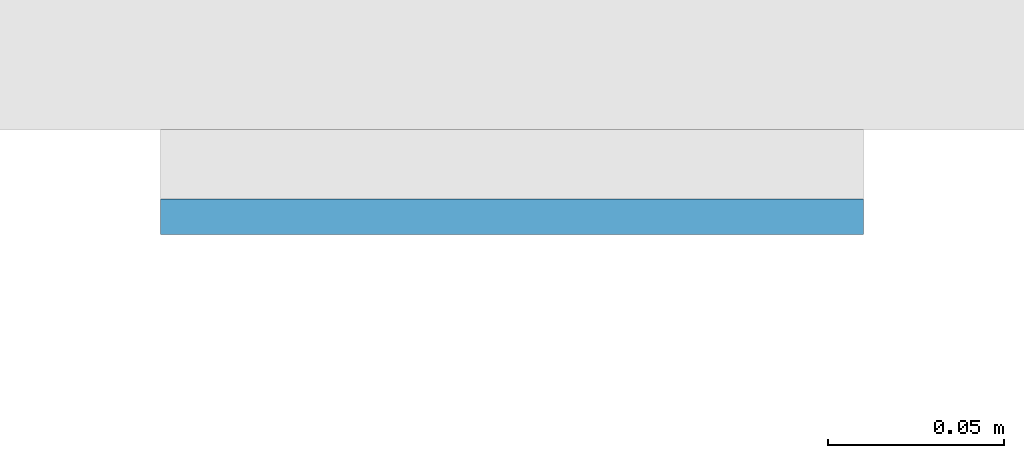
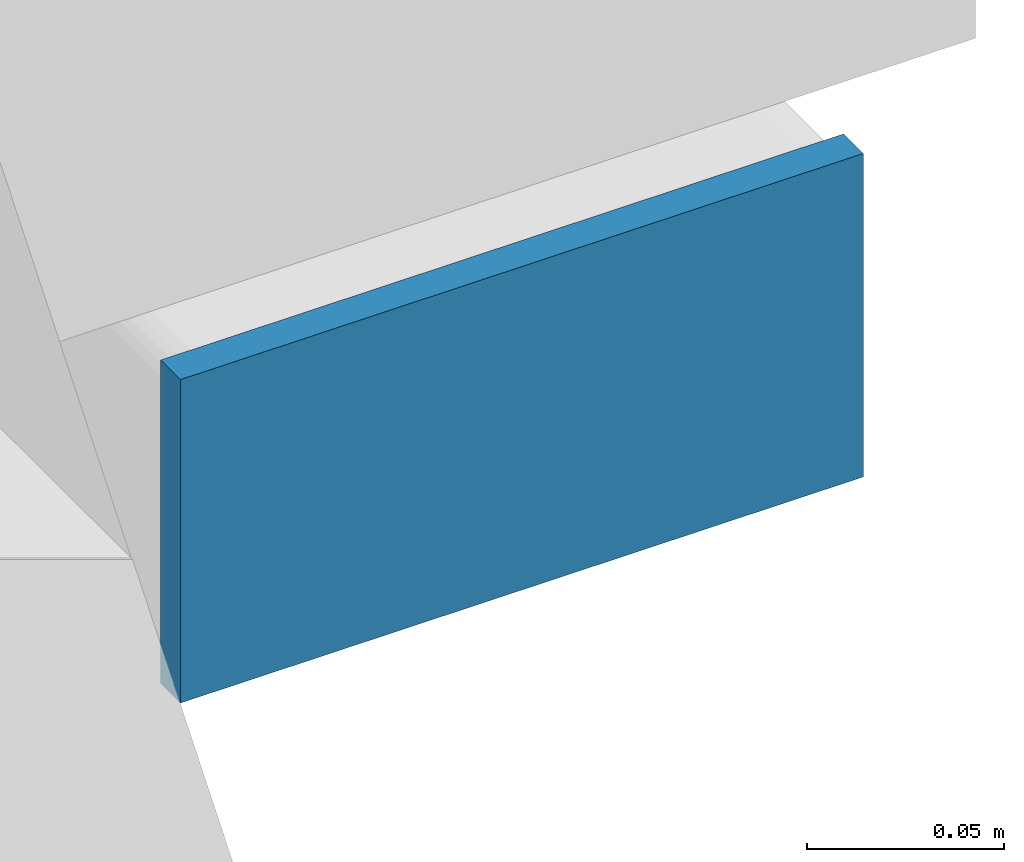
# One storey, part 10 of 20: 1 plate.
"""IFC4 building model written with IfcOpenShell, lengths in metres."""

from ifc_helpers import new_model, si_unit, direction, frame, origin, origin_2d, place, context, subcontext, project, spatial, rectangle, extrude, material, layer, layer_set, type_object, element, save


model = new_model("IFC4")

# Units and contexts
model_context = context("Model", 3, precision=1e-05, world=origin(), true_north=direction((0.0, 1.0)))
body_context = subcontext(model_context, "Body", "Model", "MODEL_VIEW")
ifc_project = project(units=[si_unit("LENGTHUNIT", "METRE"), si_unit("AREAUNIT", "SQUARE_METRE"), si_unit("VOLUMEUNIT", "CUBIC_METRE"), si_unit("PLANEANGLEUNIT", "RADIAN"), si_unit("MASSUNIT", "GRAM", prefix="KILO")], contexts=[model_context])

# Site, building, storey
site_placement = place(None, origin())
site = spatial("IfcSite", under=ifc_project, at=site_placement, CompositionType="ELEMENT")
building_placement = place(site_placement, origin())
building = spatial("IfcBuilding", under=site, at=building_placement, Name="Cleftline Residences", CompositionType="ELEMENT")
storey_placement = place(building_placement, frame((0.0, 0.0, 135.800048828125)))
storey = spatial("IfcBuildingStorey", under=building, at=storey_placement, Name="L35", CompositionType="ELEMENT", Elevation=135.800048828125)

# Plate
ifc_material = material(Name="Steel S355, hot-dip galvanised", Category="steel")
ifc_layer = layer(ifc_material, 0.010009765625)
ifc_layer_set = layer_set([ifc_layer], Name="BAGUETTE CARRIER END PLATE 200X100X10")
plate_type = type_object("IfcPlateType", Name="BAGUETTE CARRIER END PLATE 200X100X10", PredefinedType="USERDEFINED", material=ifc_layer_set)
plate_placement = place(storey_placement, frame((66.85009765625, 3.695068359375, -0.10009765625), z_axis=(0.0, 0.0, 1.0), x_axis=(1.0, 0.0, 0.0)))
element("IfcPlate", 1, at=plate_placement, inside=storey, type_object=plate_type, Name="Baguette carrier end plate", ObjectType="BAGUETTE CARRIER END PLATE", PredefinedType="USERDEFINED", context=body_context, shape_type="SweptSolid", body=[
    extrude(rectangle(XDim=0.199951171875, YDim=0.010009765625, at=origin_2d()), origin(), (0.0, 0.0, 1.0), 0.10009765625),
])

save(model, "model.ifc")
